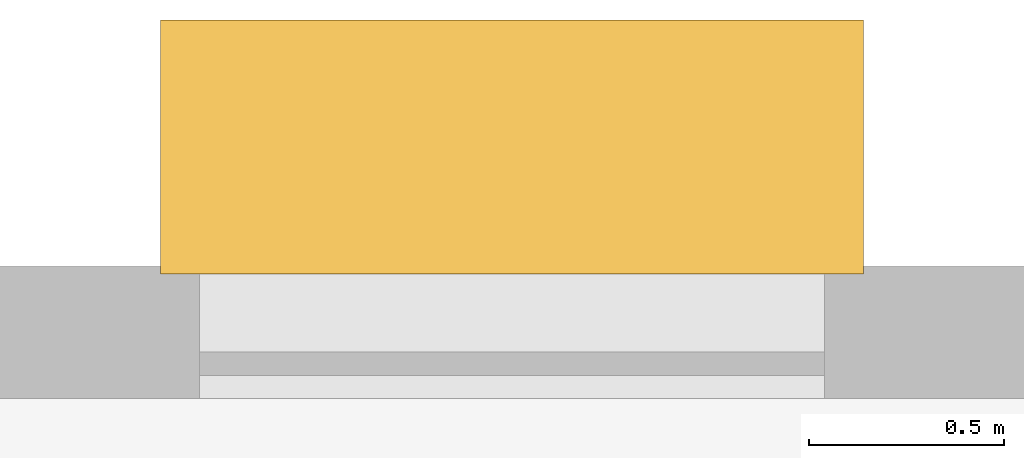
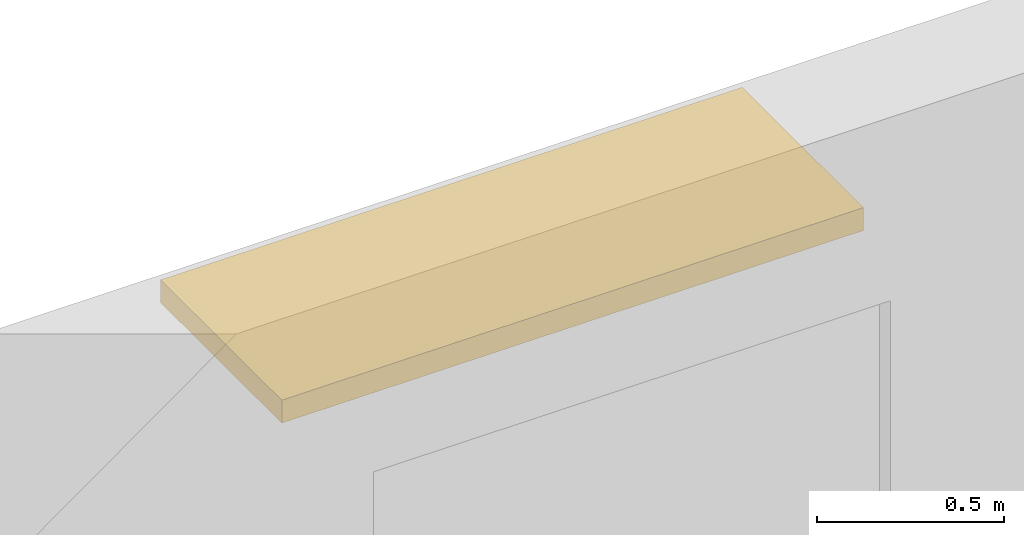
# One storey, part 7 of 7: 1 shading device.
"""IFC4 building model written with IfcOpenShell, lengths in metres."""

from ifc_helpers import new_model, si_unit, direction, frame, origin, origin_2d, place, context, subcontext, project, spatial, rectangle, extrude, material, layer, layer_set, type_object, element, save


model = new_model("IFC4")

# Units and contexts
model_context = context("Model", 3, precision=1e-05, world=origin(), true_north=direction((0.0, 1.0)))
body_context = subcontext(model_context, "Body", "Model", "MODEL_VIEW")
ifc_project = project(units=[si_unit("LENGTHUNIT", "METRE"), si_unit("AREAUNIT", "SQUARE_METRE"), si_unit("VOLUMEUNIT", "CUBIC_METRE"), si_unit("PLANEANGLEUNIT", "RADIAN"), si_unit("MASSUNIT", "GRAM", prefix="KILO")], contexts=[model_context])

# Site, building, storey
site_placement = place(None, origin())
site = spatial("IfcSite", under=ifc_project, at=site_placement, CompositionType="ELEMENT")
building_placement = place(site_placement, origin())
building = spatial("IfcBuilding", under=site, at=building_placement, Name="Mawjdan Bourse Tower", CompositionType="ELEMENT")
storey_placement = place(building_placement, frame((0.0, 0.0, 168.300048828125)))
storey = spatial("IfcBuildingStorey", under=building, at=storey_placement, Name="L40", CompositionType="ELEMENT", Elevation=168.300048828125)

# Shading device
ifc_material = material(Name="Bronze Anodised Aluminium", Category="aluminium")
ifc_layer = layer(ifc_material, 0.074951171875)
ifc_layer_set = layer_set([ifc_layer], Name="Bronze Anodised Aluminium")
shading_device_type = type_object("IfcShadingDeviceType", Name="SHD-SUN-650", PredefinedType="USERDEFINED", material=ifc_layer_set)
shading_device_placement = place(storey_placement, frame((19.933349609375, 45.304931640625, 3.10009765625), z_axis=(0.0, 0.0, 1.0), x_axis=(-1.0, 0.0, 0.0)))
element("IfcShadingDevice", 1, at=shading_device_placement, inside=storey, type_object=shading_device_type, Name="L40 Solar Window Hood 07", ObjectType="SUNSHADE", PredefinedType="USERDEFINED", context=body_context, shape_type="SweptSolid", body=[
    extrude(rectangle(XDim=1.800048828125, YDim=0.64990234375, at=origin_2d()), origin(), (0.0, 0.0, 1.0), 0.074951171875),
])

save(model, "model.ifc")
